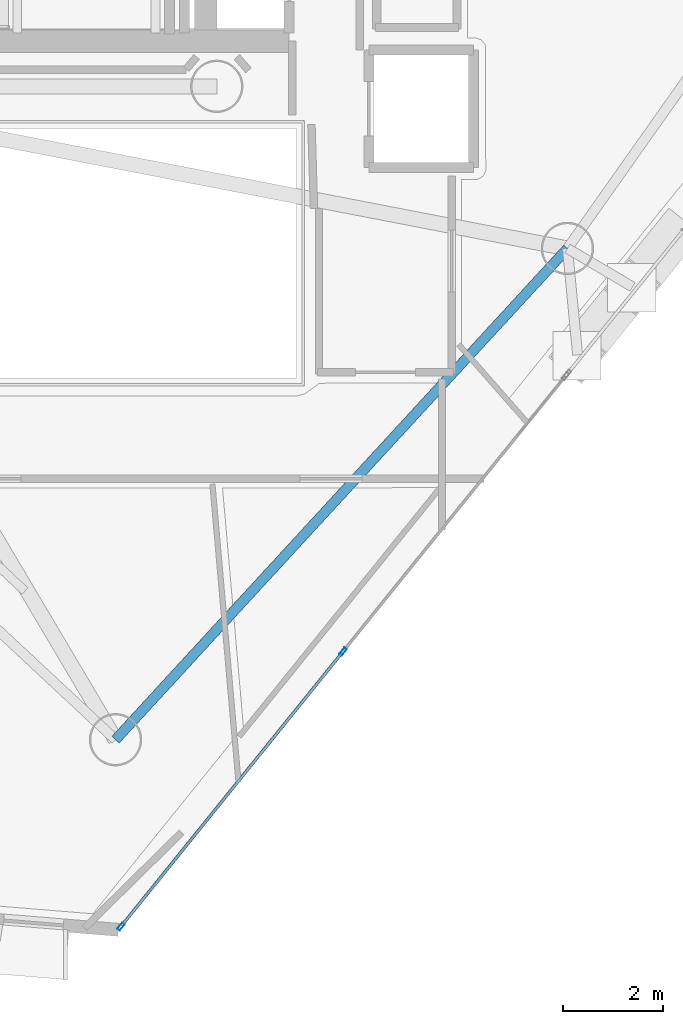
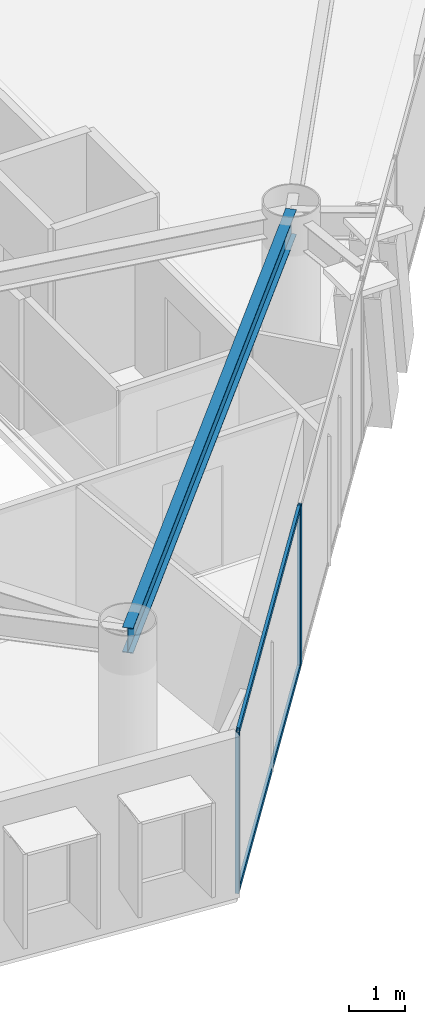
# One storey, part 4 of 19: 4 members, 1 beam, 1 element without a shape of its own.
"""IFC4 building model written with IfcOpenShell, lengths in metres."""

from ifc_helpers import new_model, si_unit, direction, frame, origin, origin_2d, place, context, subcontext, project, spatial, hollow_rectangle, i_section, extrude, material, layer, layer_set, material_profile, profile_set, type_object, element, aggregate, save


model = new_model("IFC4")

# Units and contexts
model_context = context("Model", 3, precision=1e-05, world=origin(), true_north=direction((0.0, 1.0)))
body_context = subcontext(model_context, "Body", "Model", "MODEL_VIEW")
ifc_project = project(units=[si_unit("LENGTHUNIT", "METRE"), si_unit("AREAUNIT", "SQUARE_METRE"), si_unit("VOLUMEUNIT", "CUBIC_METRE"), si_unit("PLANEANGLEUNIT", "RADIAN"), si_unit("MASSUNIT", "GRAM", prefix="KILO")], contexts=[model_context])

# Site, building, storey
site_placement = place(None, origin())
site = spatial("IfcSite", under=ifc_project, at=site_placement, CompositionType="ELEMENT")
building_placement = place(site_placement, origin())
building = spatial("IfcBuilding", under=site, at=building_placement, Name="Qianvela Tower", CompositionType="ELEMENT")
storey_placement = place(building_placement, frame((0.0, 0.0, 261.199951171875)))
storey = spatial("IfcBuildingStorey", under=building, at=storey_placement, Name="L67", CompositionType="ELEMENT", Elevation=261.199951171875)

# Beam
ifc_material_1 = material(Name="Steel Q355B", Category="steel")
ifc_material_profile_1 = material_profile(ifc_material_1, i_section(OverallWidth=0.199951171875, OverallDepth=0.550048828125, WebThickness=0.010009765625, FlangeThickness=0.01611328125, at=origin_2d()), Name="HN550x200x10x16")
ifc_profile_set_1 = profile_set([ifc_material_profile_1], Name="Steel Q355B")
beam_type = type_object("IfcBeamType", Name="BM-HN550-GIRD", PredefinedType="BEAM", material=ifc_profile_set_1)
beam_placement = place(storey_placement, frame((36.368896484375, 10.741943359375, 3.2431640625), z_axis=(0.677042708154, 0.735943728376, 0.0), x_axis=(-0.735943728376, 0.677042708154, 0.0)))
element("IfcBeam", 1, at=beam_placement, inside=storey, type_object=beam_type, Name="L67 Perimeter Ring Spandrel Girder 5", PredefinedType="BEAM", context=body_context, shape_type="SweptSolid", body=[
    extrude(i_section(OverallWidth=0.199951171875, OverallDepth=0.550048828125, WebThickness=0.010009765625, FlangeThickness=0.01611328125, at=origin_2d()), origin(), (0.0, 0.0, 1.0), 13.392333984375),
])

# Curtain wall, members
ifc_material_2 = material(Name="Anodised Architectural Aluminium and Low-E Glass", Category="aluminium")
ifc_layer = layer(ifc_material_2, 0.159912109375)
ifc_layer_set = layer_set([ifc_layer], Name="Anodised Architectural Aluminium and Low-E Glass")
curtain_wall_type = type_object("IfcCurtainWallType", Name="CW-COLIV-Z56", PredefinedType="USERDEFINED", material=ifc_layer_set)
curtain_wall_placement = place(storey_placement, origin())
curtain_wall = element("IfcCurtainWall", 2, at=curtain_wall_placement, inside=storey, type_object=curtain_wall_type, Name="L67 CW-COLIV-Z56 Curtain Wall 06A", ObjectType="CURTAIN_WALL_SYSTEM", PredefinedType="USERDEFINED")
ifc_material_3 = material(Name="Anodised Architectural Aluminium 6063-T6", Category="aluminium")
ifc_material_profile_2 = material_profile(ifc_material_3, hollow_rectangle(XDim=0.06494140625, YDim=0.159912109375, WallThickness=0.0048828125, at=origin_2d()), Name="ALU-MULL-65x160")
ifc_profile_set_2 = profile_set([ifc_material_profile_2], Name="Anodised Architectural Aluminium 6063-T6")
member_type_1 = type_object("IfcMemberType", Name="CW-COLIV-Z56-MULL", PredefinedType="MULLION", material=ifc_profile_set_2)
member_1_placement = place(storey_placement, frame((36.4765625, 6.990966796875, 0.0), z_axis=(0.0, 0.0, 1.0), x_axis=(-0.777945794576, 0.628331394012, 0.0)))
member_1 = element("IfcMember", 3, at=member_1_placement, type_object=member_type_1, Name="CW-5 mullion 1", PredefinedType="MULLION", context=body_context, shape_type="SweptSolid", body=[
    extrude(hollow_rectangle(XDim=0.06494140625, YDim=0.159912109375, WallThickness=0.0048828125, at=origin_2d()), origin(), (0.0, 0.0, 1.0), 3.52001953125),
])
member_2_placement = place(storey_placement, frame((40.936279296875, 12.512451171875, 0.0), z_axis=(0.0, 0.0, 1.0), x_axis=(-0.777945794576, 0.628331394012, 0.0)))
member_2 = element("IfcMember", 4, at=member_2_placement, type_object=member_type_1, Name="CW-5 mullion 2", PredefinedType="MULLION", context=body_context, shape_type="SweptSolid", body=[
    extrude(hollow_rectangle(XDim=0.06494140625, YDim=0.159912109375, WallThickness=0.0048828125, at=origin_2d()), origin(), (0.0, 0.0, 1.0), 3.52001953125),
])
ifc_material_4 = material(Name="Anodised Architectural Aluminium 6063-T6", Category="aluminium")
ifc_material_profile_3 = material_profile(ifc_material_4, hollow_rectangle(XDim=0.06005859375, YDim=0.114990234375, WallThickness=0.00390625, at=origin_2d()), Name="ALU-TRAN-60x115")
ifc_profile_set_3 = profile_set([ifc_material_profile_3], Name="Anodised Architectural Aluminium 6063-T6")
member_type_2 = type_object("IfcMemberType", Name="CW-COLIV-Z56-TRAN", PredefinedType="USERDEFINED", material=ifc_profile_set_3)
member_3_placement = place(storey_placement, frame((36.4970703125, 7.016357421875, 0.030029296875), z_axis=(0.628341955637, 0.777937264043, 0.0), x_axis=(-0.777937264043, 0.628341955637, 0.0)))
member_3 = element("IfcMember", 5, at=member_3_placement, type_object=member_type_2, Name="CW-5 transom 1.1", ObjectType="TRANSOM", PredefinedType="USERDEFINED", context=body_context, shape_type="SweptSolid", body=[
    extrude(hollow_rectangle(XDim=0.06005859375, YDim=0.114990234375, WallThickness=0.00390625, at=origin_2d()), origin(), (0.0, 0.0, 1.0), 7.0322265625),
])
member_4_placement = place(storey_placement, frame((36.4970703125, 7.016357421875, 3.489990234375), z_axis=(0.628341955637, 0.777937264043, 0.0), x_axis=(-0.777937264043, 0.628341955637, 0.0)))
member_4 = element("IfcMember", 6, at=member_4_placement, type_object=member_type_2, Name="CW-5 transom 1.2", ObjectType="TRANSOM", PredefinedType="USERDEFINED", context=body_context, shape_type="SweptSolid", body=[
    extrude(hollow_rectangle(XDim=0.06005859375, YDim=0.114990234375, WallThickness=0.00390625, at=origin_2d()), origin(), (0.0, 0.0, 1.0), 7.0322265625),
])
aggregate(curtain_wall, [member_1, member_2, member_3, member_4])

save(model, "model.ifc")
